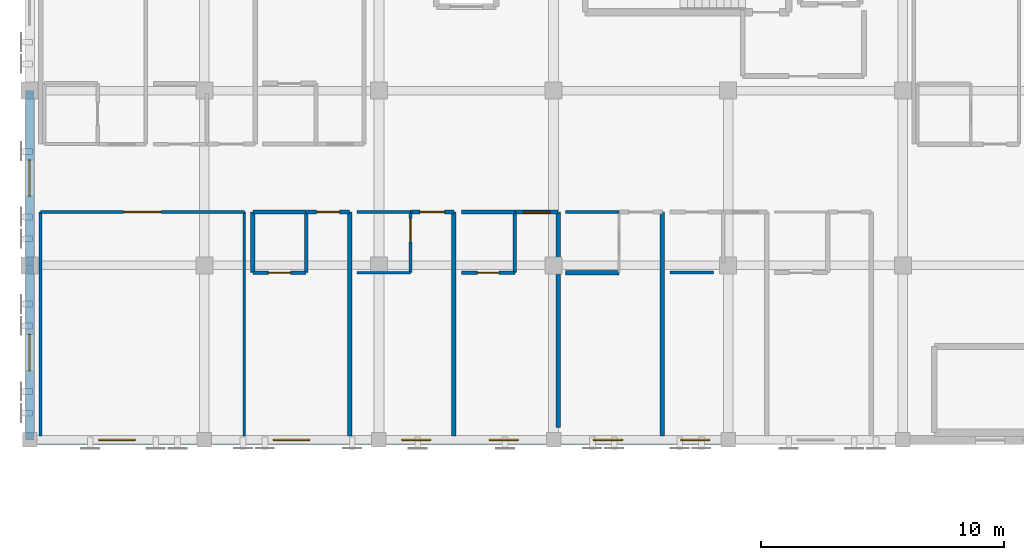
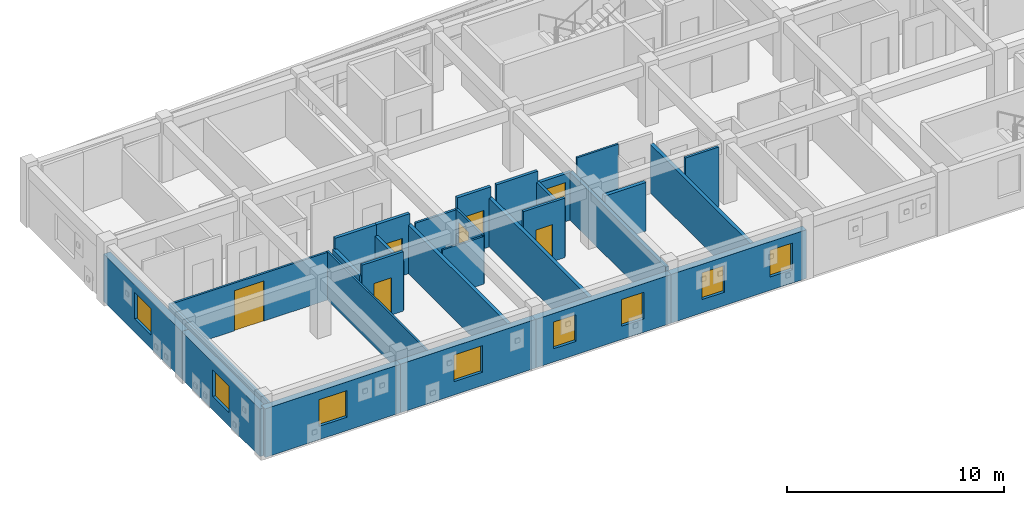
# One storey, part 37 of 50: 29 walls, 8 windows, 7 doors, 15 openings.
"""IFC4 building model written with IfcOpenShell, lengths in metres."""

from ifc_helpers import new_model, si_unit, direction, frame, frame_2d, origin, place, context, subcontext, project, spatial, rectangle, extrude, material, layer, layer_set, type_object, element, fill, save


model = new_model("IFC4")

# Units and contexts
model_context = context("Model", 3, precision=1e-05, world=origin(), true_north=direction((0.0, 1.0)))
body_context = subcontext(model_context, "Body", "Model", "MODEL_VIEW")
ifc_project = project(units=[si_unit("LENGTHUNIT", "METRE"), si_unit("AREAUNIT", "SQUARE_METRE"), si_unit("VOLUMEUNIT", "CUBIC_METRE"), si_unit("PLANEANGLEUNIT", "RADIAN"), si_unit("MASSUNIT", "GRAM", prefix="KILO")], contexts=[model_context])

# Site, building, storey
site_placement = place(None, origin())
site = spatial("IfcSite", under=ifc_project, at=site_placement, CompositionType="ELEMENT")
building_placement = place(site_placement, origin())
building = spatial("IfcBuilding", under=site, at=building_placement, Name="Carrowvane Square Congress Hotel", CompositionType="ELEMENT")
storey_placement = place(building_placement, frame((0.0, 0.0, 22.800048828125)))
storey = spatial("IfcBuildingStorey", under=building, at=storey_placement, Name="L05", CompositionType="ELEMENT", Elevation=22.800048828125)

# Wall, openings, windows
ifc_material_1 = material(Name="Glazed terracotta rainscreen", Category="masonry")
ifc_layer_1 = layer(ifc_material_1, 0.360107421875)
ifc_layer_set_1 = layer_set([ifc_layer_1], Name="Glazed terracotta rainscreen")
wall_type_1 = type_object("IfcWallType", Name="WL-EXT-TC360", PredefinedType="STANDARD", material=ifc_layer_set_1)
wall_1_placement = place(storey_placement, frame((62.0, 91.800048828125, 0.0), z_axis=(0.0, 0.0, 1.0), x_axis=(-1.0, 0.0, 0.0)))
wall_1 = element("IfcWall", 1, at=wall_1_placement, inside=storey, type_object=wall_type_1, Name="L05 exterior facade wall 472", PredefinedType="STANDARD", context=body_context, shape_type="SweptSolid", body=[
    extrude(rectangle(XDim=7.199951171875, YDim=0.360107421875, at=frame_2d((3.60009765625, 0.0))), origin(), (0.0, 0.0, 1.0), 2.73486328125),
])
opening_1_placement = place(wall_1_placement, frame((0.7548828125, 0.0, 0.75)))
opening_1 = element("IfcOpeningElement", 2, at=opening_1_placement, cuts=wall_1, Name="Opening W-01", PredefinedType="OPENING", context=body_context, shape_type="SweptSolid", body=[
    extrude(rectangle(XDim=1.199951171875, YDim=1.5, at=frame_2d((0.60009765625, 0.75))), frame((0.0, 0.18994140625, 0.0), z_axis=(0.0, -1.0, 0.0), x_axis=(1.0, 0.0, 0.0)), (0.0, 0.0, 1.0), 0.380126953125),
])
opening_2_placement = place(wall_1_placement, frame((4.35498046875, 0.0, 0.75)))
opening_2 = element("IfcOpeningElement", 3, at=opening_2_placement, cuts=wall_1, Name="Opening W-01", PredefinedType="OPENING", context=body_context, shape_type="SweptSolid", body=[
    extrude(rectangle(XDim=1.199951171875, YDim=1.5, at=frame_2d((0.60009765625, 0.75))), frame((0.0, 0.18994140625, 0.0), z_axis=(0.0, -1.0, 0.0), x_axis=(1.0, 0.0, 0.0)), (0.0, 0.0, 1.0), 0.380126953125),
])
ifc_material_2 = material(Name="Double-glazed low-E glass", Category="glass")
window_type_1 = type_object("IfcWindowType", Name="WIN-01", PartitioningType="SINGLE_PANEL", PredefinedType="WINDOW", material=ifc_material_2)
window_1_placement = place(opening_1_placement, origin())
window_1 = element("IfcWindow", 4, at=window_1_placement, inside=storey, type_object=window_type_1, Name="L05 facade window 306", OverallHeight=1.5, OverallWidth=1.199951171875, PartitioningType="SINGLE_PANEL", PredefinedType="WINDOW", context=body_context, shape_type="SweptSolid", body=[
    extrude(rectangle(XDim=1.199951171875, YDim=1.5, at=frame_2d((0.60009765625, 0.75))), frame((0.0, 0.030029296875, 0.0), z_axis=(0.0, -1.0, 0.0), x_axis=(1.0, 0.0, 0.0)), (0.0, 0.0, 1.0), 0.06005859375),
])
fill(opening_1, window_1)
window_2_placement = place(opening_2_placement, origin())
window_2 = element("IfcWindow", 5, at=window_2_placement, inside=storey, type_object=window_type_1, Name="L05 split-bay facade window WIN-L05-0306-1", OverallHeight=1.5, OverallWidth=1.199951171875, PartitioningType="SINGLE_PANEL", PredefinedType="WINDOW", context=body_context, shape_type="SweptSolid", body=[
    extrude(rectangle(XDim=1.199951171875, YDim=1.5, at=frame_2d((0.60009765625, 0.75))), frame((0.0, 0.030029296875, 0.0), z_axis=(0.0, -1.0, 0.0), x_axis=(1.0, 0.0, 0.0)), (0.0, 0.0, 1.0), 0.06005859375),
])
fill(opening_2, window_2)

wall_2_placement = place(storey_placement, frame((54.800048828125, 91.800048828125, 0.0), z_axis=(0.0, 0.0, 1.0), x_axis=(-1.0, 0.0, 0.0)))
wall_2 = element("IfcWall", 6, at=wall_2_placement, inside=storey, type_object=wall_type_1, Name="L05 exterior facade wall 473", PredefinedType="STANDARD", context=body_context, shape_type="SweptSolid", body=[
    extrude(rectangle(XDim=7.199951171875, YDim=0.360107421875, at=frame_2d((3.60009765625, 0.0))), origin(), (0.0, 0.0, 1.0), 2.73486328125),
])
opening_3_placement = place(wall_2_placement, frame((1.455078125, 0.0, 0.75)))
opening_3 = element("IfcOpeningElement", 7, at=opening_3_placement, cuts=wall_2, Name="Opening W-01", PredefinedType="OPENING", context=body_context, shape_type="SweptSolid", body=[
    extrude(rectangle(XDim=1.199951171875, YDim=1.5, at=frame_2d((0.60009765625, 0.75))), frame((0.0, 0.18994140625, 0.0), z_axis=(0.0, -1.0, 0.0), x_axis=(1.0, 0.0, 0.0)), (0.0, 0.0, 1.0), 0.380126953125),
])
opening_4_placement = place(wall_2_placement, frame((5.054931640625, 0.0, 0.75)))
opening_4 = element("IfcOpeningElement", 8, at=opening_4_placement, cuts=wall_2, Name="Opening W-01", PredefinedType="OPENING", context=body_context, shape_type="SweptSolid", body=[
    extrude(rectangle(XDim=1.199951171875, YDim=1.5, at=frame_2d((0.60009765625, 0.75))), frame((0.0, 0.18994140625, 0.0), z_axis=(0.0, -1.0, 0.0), x_axis=(1.0, 0.0, 0.0)), (0.0, 0.0, 1.0), 0.380126953125),
])
window_3_placement = place(opening_3_placement, origin())
window_3 = element("IfcWindow", 9, at=window_3_placement, inside=storey, type_object=window_type_1, Name="L05 facade window 307", OverallHeight=1.5, OverallWidth=1.199951171875, PartitioningType="SINGLE_PANEL", PredefinedType="WINDOW", context=body_context, shape_type="SweptSolid", body=[
    extrude(rectangle(XDim=1.199951171875, YDim=1.5, at=frame_2d((0.60009765625, 0.75))), frame((0.0, 0.030029296875, 0.0), z_axis=(0.0, -1.0, 0.0), x_axis=(1.0, 0.0, 0.0)), (0.0, 0.0, 1.0), 0.06005859375),
])
fill(opening_3, window_3)
window_4_placement = place(opening_4_placement, origin())
window_4 = element("IfcWindow", 10, at=window_4_placement, inside=storey, type_object=window_type_1, Name="L05 split-bay facade window WIN-L05-0307-1", OverallHeight=1.5, OverallWidth=1.199951171875, PartitioningType="SINGLE_PANEL", PredefinedType="WINDOW", context=body_context, shape_type="SweptSolid", body=[
    extrude(rectangle(XDim=1.199951171875, YDim=1.5, at=frame_2d((0.60009765625, 0.75))), frame((0.0, 0.030029296875, 0.0), z_axis=(0.0, -1.0, 0.0), x_axis=(1.0, 0.0, 0.0)), (0.0, 0.0, 1.0), 0.06005859375),
])
fill(opening_4, window_4)

# Wall, opening, window
wall_3_placement = place(storey_placement, frame((47.60009765625, 91.800048828125, 0.0), z_axis=(0.0, 0.0, 1.0), x_axis=(-1.0, 0.0, 0.0)))
wall_3 = element("IfcWall", 11, at=wall_3_placement, inside=storey, type_object=wall_type_1, Name="L05 exterior facade wall 474", PredefinedType="STANDARD", context=body_context, shape_type="SweptSolid", body=[
    extrude(rectangle(XDim=7.2001953125, YDim=0.360107421875, at=frame_2d((3.60009765625, 0.0))), origin(), (0.0, 0.0, 1.0), 2.73486328125),
])
opening_5_placement = place(wall_3_placement, frame((2.85009765625, 0.0, 0.75)))
opening_5 = element("IfcOpeningElement", 12, at=opening_5_placement, cuts=wall_3, Name="Opening W-15", PredefinedType="OPENING", context=body_context, shape_type="SweptSolid", body=[
    extrude(rectangle(XDim=1.5, YDim=1.5, at=frame_2d((0.75, 0.75))), frame((0.0, 0.18994140625, 0.0), z_axis=(0.0, -1.0, 0.0), x_axis=(1.0, 0.0, 0.0)), (0.0, 0.0, 1.0), 0.380126953125),
])
ifc_material_3 = material(Name="Double-glazed low-E glass", Category="glass")
window_type_2 = type_object("IfcWindowType", Name="WIN-15", PartitioningType="SINGLE_PANEL", PredefinedType="WINDOW", material=ifc_material_3)
window_5_placement = place(opening_5_placement, origin())
window_5 = element("IfcWindow", 13, at=window_5_placement, inside=storey, type_object=window_type_2, Name="L05 facade window 308", OverallHeight=1.5, OverallWidth=1.5, PartitioningType="SINGLE_PANEL", PredefinedType="WINDOW", context=body_context, shape_type="SweptSolid", body=[
    extrude(rectangle(XDim=1.5, YDim=1.5, at=frame_2d((0.75, 0.75))), frame((0.0, 0.030029296875, 0.0), z_axis=(0.0, -1.0, 0.0), x_axis=(1.0, 0.0, 0.0)), (0.0, 0.0, 1.0), 0.06005859375),
])
fill(opening_5, window_5)

wall_4_placement = place(storey_placement, frame((40.39990234375, 91.800048828125, 0.0), z_axis=(0.0, 0.0, 1.0), x_axis=(-1.0, 0.0, 0.0)))
wall_4 = element("IfcWall", 14, at=wall_4_placement, inside=storey, type_object=wall_type_1, Name="L05 exterior facade wall 475", PredefinedType="STANDARD", context=body_context, shape_type="SweptSolid", body=[
    extrude(rectangle(XDim=7.199951171875, YDim=0.360107421875, at=frame_2d((3.60009765625, 0.0))), origin(), (0.0, 0.0, 1.0), 2.73486328125),
])
opening_6_placement = place(wall_4_placement, frame((2.85009765625, 0.0, 0.75)))
opening_6 = element("IfcOpeningElement", 15, at=opening_6_placement, cuts=wall_4, Name="Opening W-15", PredefinedType="OPENING", context=body_context, shape_type="SweptSolid", body=[
    extrude(rectangle(XDim=1.5, YDim=1.5, at=frame_2d((0.75, 0.75))), frame((0.0, 0.18994140625, 0.0), z_axis=(0.0, -1.0, 0.0), x_axis=(1.0, 0.0, 0.0)), (0.0, 0.0, 1.0), 0.380126953125),
])
window_6_placement = place(opening_6_placement, origin())
window_6 = element("IfcWindow", 16, at=window_6_placement, inside=storey, type_object=window_type_2, Name="L05 facade window 309", OverallHeight=1.5, OverallWidth=1.5, PartitioningType="SINGLE_PANEL", PredefinedType="WINDOW", context=body_context, shape_type="SweptSolid", body=[
    extrude(rectangle(XDim=1.5, YDim=1.5, at=frame_2d((0.75, 0.75))), frame((0.0, 0.030029296875, 0.0), z_axis=(0.0, -1.0, 0.0), x_axis=(1.0, 0.0, 0.0)), (0.0, 0.0, 1.0), 0.06005859375),
])
fill(opening_6, window_6)

wall_5_placement = place(storey_placement, frame((33.199951171875, 91.800048828125, 0.0), z_axis=(0.0, 0.0, 1.0), x_axis=(0.0, 1.0, 0.0)))
wall_5 = element("IfcWall", 17, at=wall_5_placement, inside=storey, type_object=wall_type_1, Name="L05 exterior facade wall 476", PredefinedType="STANDARD", context=body_context, shape_type="SweptSolid", body=[
    extrude(rectangle(XDim=7.199951171875, YDim=0.360107421875, at=frame_2d((3.60009765625, 0.0))), origin(), (0.0, 0.0, 1.0), 2.68505859375),
])
opening_7_placement = place(wall_5_placement, frame((2.85009765625, 0.0, 0.75)))
opening_7 = element("IfcOpeningElement", 18, at=opening_7_placement, cuts=wall_5, Name="Opening W-15", PredefinedType="OPENING", context=body_context, shape_type="SweptSolid", body=[
    extrude(rectangle(XDim=1.5, YDim=1.5, at=frame_2d((0.75, 0.75))), frame((0.0, 0.18994140625, 0.0), z_axis=(0.0, -1.0, 0.0), x_axis=(1.0, 0.0, 0.0)), (0.0, 0.0, 1.0), 0.380126953125),
])
window_7_placement = place(opening_7_placement, origin())
window_7 = element("IfcWindow", 19, at=window_7_placement, inside=storey, type_object=window_type_2, Name="L05 facade window 310", OverallHeight=1.5, OverallWidth=1.5, PartitioningType="SINGLE_PANEL", PredefinedType="WINDOW", context=body_context, shape_type="SweptSolid", body=[
    extrude(rectangle(XDim=1.5, YDim=1.5, at=frame_2d((0.75, 0.75))), frame((0.0, 0.030029296875, 0.0), z_axis=(0.0, -1.0, 0.0), x_axis=(1.0, 0.0, 0.0)), (0.0, 0.0, 1.0), 0.06005859375),
])
fill(opening_7, window_7)

wall_6_placement = place(storey_placement, frame((33.199951171875, 99.0, 0.0), z_axis=(0.0, 0.0, 1.0), x_axis=(0.0, 1.0, 0.0)))
wall_6 = element("IfcWall", 20, at=wall_6_placement, inside=storey, type_object=wall_type_1, Name="L05 exterior facade wall 477", PredefinedType="STANDARD", context=body_context, shape_type="SweptSolid", body=[
    extrude(rectangle(XDim=7.199951171875, YDim=0.360107421875, at=frame_2d((3.60009765625, 0.0))), origin(), (0.0, 0.0, 1.0), 2.68505859375),
])
opening_8_placement = place(wall_6_placement, frame((2.85009765625, 0.0, 0.75)))
opening_8 = element("IfcOpeningElement", 21, at=opening_8_placement, cuts=wall_6, Name="Opening W-15", PredefinedType="OPENING", context=body_context, shape_type="SweptSolid", body=[
    extrude(rectangle(XDim=1.5, YDim=1.5, at=frame_2d((0.75, 0.75))), frame((0.0, 0.18994140625, 0.0), z_axis=(0.0, -1.0, 0.0), x_axis=(1.0, 0.0, 0.0)), (0.0, 0.0, 1.0), 0.380126953125),
])
window_8_placement = place(opening_8_placement, origin())
window_8 = element("IfcWindow", 22, at=window_8_placement, inside=storey, type_object=window_type_2, Name="L05 facade window 311", OverallHeight=1.5, OverallWidth=1.5, PartitioningType="SINGLE_PANEL", PredefinedType="WINDOW", context=body_context, shape_type="SweptSolid", body=[
    extrude(rectangle(XDim=1.5, YDim=1.5, at=frame_2d((0.75, 0.75))), frame((0.0, 0.030029296875, 0.0), z_axis=(0.0, -1.0, 0.0), x_axis=(1.0, 0.0, 0.0)), (0.0, 0.0, 1.0), 0.06005859375),
])
fill(opening_8, window_8)

# Walls
ifc_material_4 = material(Name="Acoustic gypsum board", Category="gypsum")
ifc_layer_2 = layer(ifc_material_4, 0.155029296875)
ifc_layer_set_2 = layer_set([ifc_layer_2], Name="Acoustic gypsum board")
wall_type_2 = type_object("IfcWallType", Name="WL-FIR-155", PredefinedType="PARTITIONING", material=ifc_layer_set_2)
wall_7_placement = place(storey_placement, frame((44.60009765625, 101.199951171875, 0.0), z_axis=(0.0, 0.0, 1.0), x_axis=(0.0, -1.0, 0.0)))
element("IfcWall", 23, at=wall_7_placement, inside=storey, type_object=wall_type_2, Name="L05 En-suite Bathroom 0501 partition", PredefinedType="PARTITIONING", context=body_context, shape_type="SweptSolid", body=[
    extrude(rectangle(XDim=2.5, YDim=0.155029296875, at=frame_2d((1.25, 0.0))), origin(), (0.0, 0.0, 1.0), 2.73486328125),
])
wall_8_placement = place(storey_placement, frame((51.0, 101.199951171875, 0.0), z_axis=(0.0, 0.0, 1.0), x_axis=(1.0, 0.0, 0.0)))
element("IfcWall", 24, at=wall_8_placement, inside=storey, type_object=wall_type_2, Name="L05 En-suite Bathroom 0503 partition", PredefinedType="PARTITIONING", context=body_context, shape_type="SweptSolid", body=[
    extrude(rectangle(XDim=2.199951171875, YDim=0.155029296875, at=frame_2d((1.10009765625, 0.0))), origin(), (0.0, 0.0, 1.0), 3.349853515625),
])
ifc_material_5 = material(Name="Acoustic gypsum board", Category="gypsum")
ifc_layer_3 = layer(ifc_material_5, 0.169921875)
ifc_layer_set_3 = layer_set([ifc_layer_3], Name="Acoustic gypsum board")
wall_type_3 = type_object("IfcWallType", Name="WL-FIR-170", PredefinedType="PARTITIONING", material=ifc_layer_set_3)
wall_9_placement = place(storey_placement, frame((42.39990234375, 101.199951171875, 0.0), z_axis=(0.0, 0.0, 1.0), x_axis=(1.0, 0.0, 0.0)))
element("IfcWall", 25, at=wall_9_placement, inside=storey, type_object=wall_type_3, Name="L05 En-suite Bathroom 0501 partition", PredefinedType="PARTITIONING", context=body_context, shape_type="SweptSolid", body=[
    extrude(rectangle(XDim=2.2001953125, YDim=0.169921875, at=frame_2d((1.10009765625, 0.0))), origin(), (0.0, 0.0, 1.0), 3.349853515625),
])

# Wall, opening, door
wall_10_placement = place(storey_placement, frame((44.610107421875, 101.199951171875, 0.0), z_axis=(0.0, 0.0, 1.0), x_axis=(1.0, 0.0, 0.0)))
wall_10 = element("IfcWall", 26, at=wall_10_placement, inside=storey, type_object=wall_type_3, Name="L05 Hotel Guest Bedroom 0501 partition", PredefinedType="PARTITIONING", context=body_context, shape_type="SweptSolid", body=[
    extrude(rectangle(XDim=1.77978515625, YDim=0.169921875, at=frame_2d((0.889892578125, 0.0))), origin(), (0.0, 0.0, 1.0), 3.349853515625),
])
opening_9_placement = place(wall_10_placement, frame((0.4150390625, 0.0, 0.0)))
opening_9 = element("IfcOpeningElement", 27, at=opening_9_placement, cuts=wall_10, Name="Opening FD-06", PredefinedType="OPENING", context=body_context, shape_type="SweptSolid", body=[
    extrude(rectangle(XDim=0.949951171875, YDim=2.10009765625, at=frame_2d((0.47509765625, 1.050048828125))), frame((0.0, 0.094970703125, 0.0), z_axis=(0.0, -1.0, 0.0), x_axis=(1.0, 0.0, 0.0)), (0.0, 0.0, 1.0), 0.18994140625),
])
ifc_material_6 = material(Name="European oak timber", Category="wood")
door_type_1 = type_object("IfcDoorType", Name="DR-FD30-0950x2100", OperationType="NOTDEFINED", PredefinedType="DOOR", material=ifc_material_6)
door_1_placement = place(opening_9_placement, origin())
door_1 = element("IfcDoor", 28, at=door_1_placement, inside=storey, type_object=door_type_1, Name="L05 Hotel Guest Bedroom 0501 entrance door", OperationType="SINGLE_SWING_RIGHT", OverallHeight=2.10009765625, OverallWidth=0.949951171875, PredefinedType="DOOR", context=body_context, shape_type="SweptSolid", body=[
    extrude(rectangle(XDim=0.949951171875, YDim=2.10009765625, at=frame_2d((0.47509765625, 1.050048828125))), frame((0.0, 0.02490234375, 0.0), z_axis=(0.0, -1.0, 0.0), x_axis=(1.0, 0.0, 0.0)), (0.0, 0.0, 1.0), 0.050048828125),
])
fill(opening_9, door_1)

wall_11_placement = place(storey_placement, frame((48.909912109375, 101.199951171875, 0.0), z_axis=(0.0, 0.0, 1.0), x_axis=(1.0, 0.0, 0.0)))
wall_11 = element("IfcWall", 29, at=wall_11_placement, inside=storey, type_object=wall_type_3, Name="L05 Hotel Guest Bedroom 0502 partition", PredefinedType="PARTITIONING", context=body_context, shape_type="SweptSolid", body=[
    extrude(rectangle(XDim=1.780029296875, YDim=0.169921875, at=frame_2d((0.89013671875, 0.0))), origin(), (0.0, 0.0, 1.0), 3.349853515625),
])
opening_10_placement = place(wall_11_placement, frame((0.3798828125, 0.0, 0.0)))
opening_10 = element("IfcOpeningElement", 30, at=opening_10_placement, cuts=wall_11, Name="Opening FD-08", PredefinedType="OPENING", context=body_context, shape_type="SweptSolid", body=[
    extrude(rectangle(XDim=1.02001953125, YDim=2.14990234375, at=frame_2d((0.510009765625, 1.074951171875))), frame((0.0, 0.094970703125, 0.0), z_axis=(0.0, -1.0, 0.0), x_axis=(1.0, 0.0, 0.0)), (0.0, 0.0, 1.0), 0.18994140625),
])
ifc_material_7 = material(Name="European oak timber", Category="wood")
door_type_2 = type_object("IfcDoorType", Name="DR-FD30-1020x2150", OperationType="NOTDEFINED", PredefinedType="DOOR", material=ifc_material_7)
door_2_placement = place(opening_10_placement, origin())
door_2 = element("IfcDoor", 31, at=door_2_placement, inside=storey, type_object=door_type_2, Name="L05 Hotel Guest Bedroom 0502 entrance door", OperationType="SINGLE_SWING_RIGHT", OverallHeight=2.14990234375, OverallWidth=1.02001953125, PredefinedType="DOOR", context=body_context, shape_type="SweptSolid", body=[
    extrude(rectangle(XDim=1.02001953125, YDim=2.14990234375, at=frame_2d((0.510009765625, 1.074951171875))), frame((0.0, 0.02490234375, 0.0), z_axis=(0.0, -1.0, 0.0), x_axis=(1.0, 0.0, 0.0)), (0.0, 0.0, 1.0), 0.050048828125),
])
fill(opening_10, door_2)

wall_12_placement = place(storey_placement, frame((53.2099609375, 101.199951171875, 0.0), z_axis=(0.0, 0.0, 1.0), x_axis=(1.0, 0.0, 0.0)))
wall_12 = element("IfcWall", 32, at=wall_12_placement, inside=storey, type_object=wall_type_3, Name="L05 Hotel Guest Bedroom 0503 partition", PredefinedType="PARTITIONING", context=body_context, shape_type="SweptSolid", body=[
    extrude(rectangle(XDim=1.780029296875, YDim=0.169921875, at=frame_2d((0.89013671875, 0.0))), origin(), (0.0, 0.0, 1.0), 2.68505859375),
])
opening_11_placement = place(wall_12_placement, frame((0.330078125, 0.0, 0.0)))
opening_11 = element("IfcOpeningElement", 33, at=opening_11_placement, cuts=wall_12, Name="Opening FD-10", PredefinedType="OPENING", context=body_context, shape_type="SweptSolid", body=[
    extrude(rectangle(XDim=1.1201171875, YDim=2.199951171875, at=frame_2d((0.56005859375, 1.10009765625))), frame((0.0, 0.094970703125, 0.0), z_axis=(0.0, -1.0, 0.0), x_axis=(1.0, 0.0, 0.0)), (0.0, 0.0, 1.0), 0.18994140625),
])
ifc_material_8 = material(Name="European oak timber", Category="wood")
door_type_3 = type_object("IfcDoorType", Name="DR-FD30-1120x2200", OperationType="NOTDEFINED", PredefinedType="DOOR", material=ifc_material_8)
door_3_placement = place(opening_11_placement, origin())
door_3 = element("IfcDoor", 34, at=door_3_placement, inside=storey, type_object=door_type_3, Name="L05 Hotel Guest Bedroom 0503 entrance door", OperationType="SINGLE_SWING_RIGHT", OverallHeight=2.199951171875, OverallWidth=1.1201171875, PredefinedType="DOOR", context=body_context, shape_type="SweptSolid", body=[
    extrude(rectangle(XDim=1.1201171875, YDim=2.199951171875, at=frame_2d((0.56005859375, 1.10009765625))), frame((0.0, 0.02490234375, 0.0), z_axis=(0.0, -1.0, 0.0), x_axis=(1.0, 0.0, 0.0)), (0.0, 0.0, 1.0), 0.050048828125),
])
fill(opening_11, door_3)

# Walls
ifc_material_9 = material(Name="Acoustic gypsum board", Category="gypsum")
ifc_layer_4 = layer(ifc_material_9, 0.18505859375)
ifc_layer_set_4 = layer_set([ifc_layer_4], Name="Acoustic gypsum board")
wall_type_4 = type_object("IfcWallType", Name="WL-FIR-185", PredefinedType="PARTITIONING", material=ifc_layer_set_4)
wall_13_placement = place(storey_placement, frame((42.39990234375, 98.699951171875, 0.0), z_axis=(0.0, 0.0, 1.0), x_axis=(0.0, 1.0, 0.0)))
element("IfcWall", 35, at=wall_13_placement, inside=storey, type_object=wall_type_4, Name="L05 En-suite Bathroom 0501 partition", PredefinedType="PARTITIONING", context=body_context, shape_type="SweptSolid", body=[
    extrude(rectangle(XDim=2.5, YDim=0.18505859375, at=frame_2d((1.25, 0.0))), origin(), (0.0, 0.0, 1.0), 2.73486328125),
])
for number, where, z_axis, x_axis, name in (
    (36, (46.389892578125, 101.199951171875, 0.0), (0.0, 0.0, 1.0), (0.0, -1.0, 0.0), "L05 Hotel Guest Bedroom 0501 partition"),
    (37, (50.68994140625, 101.199951171875, 0.0), (0.0, 0.0, 1.0), (0.0, -1.0, 0.0), "L05 Hotel Guest Bedroom 0502 partition"),
):
    element("IfcWall", number, at=place(storey_placement, frame(where, z_axis=z_axis, x_axis=x_axis)), inside=storey, type_object=wall_type_4, Name=name, PredefinedType="PARTITIONING", context=body_context, shape_type="SweptSolid", body=[
        extrude(rectangle(XDim=9.239990234375, YDim=0.18505859375, at=frame_2d((4.6201171875, 0.0))), origin(), (0.0, 0.0, 1.0), 2.73486328125),
    ])
wall_14_placement = place(storey_placement, frame((54.989990234375, 101.199951171875, 0.0), z_axis=(0.0, 0.0, 1.0), x_axis=(0.0, -1.0, 0.0)))
element("IfcWall", 38, at=wall_14_placement, inside=storey, type_object=wall_type_4, Name="L05 Hotel Guest Bedroom 0503 partition", PredefinedType="PARTITIONING", context=body_context, shape_type="SweptSolid", body=[
    extrude(rectangle(XDim=8.8798828125, YDim=0.18505859375, at=frame_2d((4.43994140625, 0.0))), origin(), (0.0, 0.0, 1.0), 2.68505859375),
])
wall_15_placement = place(storey_placement, frame((57.5, 98.699951171875, 0.0), z_axis=(0.0, 0.0, 1.0), x_axis=(-1.0, 0.0, 0.0)))
element("IfcWall", 39, at=wall_15_placement, inside=storey, type_object=wall_type_4, Name="L05 En-suite Bathroom 0504 partition", PredefinedType="PARTITIONING", context=body_context, shape_type="SweptSolid", body=[
    extrude(rectangle(XDim=2.199951171875, YDim=0.18505859375, at=frame_2d((1.10009765625, 0.0))), origin(), (0.0, 0.0, 1.0), 2.73486328125),
])
wall_16_placement = place(storey_placement, frame((59.2900390625, 101.199951171875, 0.0), z_axis=(0.0, 0.0, 1.0), x_axis=(0.0, -1.0, 0.0)))
element("IfcWall", 40, at=wall_16_placement, inside=storey, type_object=wall_type_4, Name="L05 Hotel Guest Bedroom 0504 partition", PredefinedType="PARTITIONING", context=body_context, shape_type="SweptSolid", body=[
    extrude(rectangle(XDim=9.239990234375, YDim=0.18505859375, at=frame_2d((4.6201171875, 0.0))), origin(), (0.0, 0.0, 1.0), 2.73486328125),
])
ifc_material_10 = material(Name="Acoustic gypsum board", Category="gypsum")
ifc_layer_5 = layer(ifc_material_10, 0.097900390625)
ifc_layer_set_5 = layer_set([ifc_layer_5], Name="Acoustic gypsum board")
wall_type_5 = type_object("IfcWallType", Name="WL-PRT-098", PredefinedType="PARTITIONING", material=ifc_layer_set_5)
wall_17_placement = place(storey_placement, frame((42.050048828125, 101.199951171875, 0.0), z_axis=(0.0, 0.0, 1.0), x_axis=(0.0, -1.0, 0.0)))
element("IfcWall", 41, at=wall_17_placement, inside=storey, type_object=wall_type_5, Name="L05 L05 Quiet Study Lounge partition", PredefinedType="PARTITIONING", context=body_context, shape_type="SweptSolid", body=[
    extrude(rectangle(XDim=9.239990234375, YDim=0.097900390625, at=frame_2d((4.6201171875, 0.0))), origin(), (0.0, 0.0, 1.0), 2.73486328125),
])
wall_18_placement = place(storey_placement, frame((48.89990234375, 98.699951171875, 0.0), z_axis=(0.0, 0.0, 1.0), x_axis=(-1.0, 0.0, 0.0)))
element("IfcWall", 42, at=wall_18_placement, inside=storey, type_object=wall_type_5, Name="L05 En-suite Bathroom 0502 partition", PredefinedType="PARTITIONING", context=body_context, shape_type="SweptSolid", body=[
    extrude(rectangle(XDim=2.199951171875, YDim=0.097900390625, at=frame_2d((1.10009765625, 0.0))), origin(), (0.0, 0.0, 1.0), 2.68505859375),
])

# Wall, opening, door
ifc_material_11 = material(Name="Acoustic gypsum board", Category="gypsum")
ifc_layer_6 = layer(ifc_material_11, 0.10791015625)
ifc_layer_set_6 = layer_set([ifc_layer_6], Name="Acoustic gypsum board")
wall_type_6 = type_object("IfcWallType", Name="WL-PRT-108", PredefinedType="PARTITIONING", material=ifc_layer_set_6)
wall_19_placement = place(storey_placement, frame((33.64990234375, 101.199951171875, 0.0), z_axis=(0.0, 0.0, 1.0), x_axis=(1.0, 0.0, 0.0)))
wall_19 = element("IfcWall", 43, at=wall_19_placement, inside=storey, type_object=wall_type_6, Name="L05 L05 Quiet Study Lounge partition", PredefinedType="PARTITIONING", context=body_context, shape_type="SweptSolid", body=[
    extrude(rectangle(XDim=8.400146484375, YDim=0.10791015625, at=frame_2d((4.2001953125, 0.0))), origin(), (0.0, 0.0, 1.0), 2.68505859375),
])
opening_12_placement = place(wall_19_placement, frame((3.419921875, 0.0, 0.0)))
opening_12 = element("IfcOpeningElement", 44, at=opening_12_placement, cuts=wall_19, Name="Opening ID-26", PredefinedType="OPENING", context=body_context, shape_type="SweptSolid", body=[
    extrude(rectangle(XDim=1.56005859375, YDim=2.260009765625, at=frame_2d((0.780029296875, 1.1298828125))), frame((0.0, 0.06396484375, 0.0), z_axis=(0.0, -1.0, 0.0), x_axis=(1.0, 0.0, 0.0)), (0.0, 0.0, 1.0), 0.1279296875),
])
ifc_material_12 = material(Name="European oak timber", Category="wood")
door_type_4 = type_object("IfcDoorType", Name="DR-INT-1560x2260", OperationType="DOUBLE_DOOR_SINGLE_SWING", PredefinedType="DOOR", material=ifc_material_12)
door_4_placement = place(opening_12_placement, origin())
door_4 = element("IfcDoor", 45, at=door_4_placement, inside=storey, type_object=door_type_4, Name="L05 L05 Quiet Study Lounge entrance door", OperationType="DOUBLE_DOOR_SINGLE_SWING", OverallHeight=2.260009765625, OverallWidth=1.56005859375, PredefinedType="DOOR", context=body_context, shape_type="SweptSolid", body=[
    extrude(rectangle(XDim=1.56005859375, YDim=2.260009765625, at=frame_2d((0.780029296875, 1.1298828125))), frame((0.0, 0.02490234375, 0.0), z_axis=(0.0, -1.0, 0.0), x_axis=(1.0, 0.0, 0.0)), (0.0, 0.0, 1.0), 0.050048828125),
])
fill(opening_12, door_4)

wall_20_placement = place(storey_placement, frame((48.89990234375, 101.199951171875, 0.0), z_axis=(0.0, 0.0, 1.0), x_axis=(0.0, -1.0, 0.0)))
wall_20 = element("IfcWall", 46, at=wall_20_placement, inside=storey, type_object=wall_type_6, Name="L05 En-suite Bathroom 0502 partition", PredefinedType="PARTITIONING", context=body_context, shape_type="SweptSolid", body=[
    extrude(rectangle(XDim=2.5, YDim=0.10791015625, at=frame_2d((1.25, 0.0))), origin(), (0.0, 0.0, 1.0), 2.73486328125),
])
opening_13_placement = place(wall_20_placement, frame((0.27001953125, 0.0, 0.0)))
opening_13 = element("IfcOpeningElement", 47, at=opening_13_placement, cuts=wall_20, Name="Opening ID-05", PredefinedType="OPENING", context=body_context, shape_type="SweptSolid", body=[
    extrude(rectangle(XDim=0.9599609375, YDim=2.139892578125, at=frame_2d((0.47998046875, 1.06982421875))), frame((0.0, 0.06396484375, 0.0), z_axis=(0.0, -1.0, 0.0), x_axis=(1.0, 0.0, 0.0)), (0.0, 0.0, 1.0), 0.1279296875),
])
ifc_material_13 = material(Name="European oak timber", Category="wood")
door_type_5 = type_object("IfcDoorType", Name="DR-INT-0960x2140", OperationType="NOTDEFINED", PredefinedType="DOOR", material=ifc_material_13)
door_5_placement = place(opening_13_placement, origin())
door_5 = element("IfcDoor", 48, at=door_5_placement, inside=storey, type_object=door_type_5, Name="L05 En-suite Bathroom 0502 door", OperationType="SINGLE_SWING_LEFT", OverallHeight=2.139892578125, OverallWidth=0.9599609375, PredefinedType="DOOR", context=body_context, shape_type="SweptSolid", body=[
    extrude(rectangle(XDim=0.9599609375, YDim=2.139892578125, at=frame_2d((0.47998046875, 1.06982421875))), frame((0.0, 0.02490234375, 0.0), z_axis=(0.0, -1.0, 0.0), x_axis=(1.0, 0.0, 0.0)), (0.0, 0.0, 1.0), 0.050048828125),
])
fill(opening_13, door_5)

# Walls
wall_21_placement = place(storey_placement, frame((55.300048828125, 101.199951171875, 0.0), z_axis=(0.0, 0.0, 1.0), x_axis=(1.0, 0.0, 0.0)))
element("IfcWall", 49, at=wall_21_placement, inside=storey, type_object=wall_type_6, Name="L05 En-suite Bathroom 0504 partition", PredefinedType="PARTITIONING", context=body_context, shape_type="SweptSolid", body=[
    extrude(rectangle(XDim=2.199951171875, YDim=0.10791015625, at=frame_2d((1.10009765625, 0.0))), origin(), (0.0, 0.0, 1.0), 3.349853515625),
])
ifc_material_14 = material(Name="Acoustic gypsum board", Category="gypsum")
ifc_layer_7 = layer(ifc_material_14, 0.117919921875)
ifc_layer_set_7 = layer_set([ifc_layer_7], Name="Acoustic gypsum board")
wall_type_7 = type_object("IfcWallType", Name="WL-PRT-118", PredefinedType="PARTITIONING", material=ifc_layer_set_7)
wall_22_placement = place(storey_placement, frame((33.64990234375, 91.9599609375, 0.0), z_axis=(0.0, 0.0, 1.0), x_axis=(0.0, 1.0, 0.0)))
element("IfcWall", 50, at=wall_22_placement, inside=storey, type_object=wall_type_7, Name="L05 L05 Quiet Study Lounge partition", PredefinedType="PARTITIONING", context=body_context, shape_type="SweptSolid", body=[
    extrude(rectangle(XDim=9.239990234375, YDim=0.117919921875, at=frame_2d((4.6201171875, 0.0))), origin(), (0.0, 0.0, 1.0), 2.73486328125),
])
wall_23_placement = place(storey_placement, frame((46.699951171875, 101.199951171875, 0.0), z_axis=(0.0, 0.0, 1.0), x_axis=(1.0, 0.0, 0.0)))
element("IfcWall", 51, at=wall_23_placement, inside=storey, type_object=wall_type_7, Name="L05 En-suite Bathroom 0502 partition", PredefinedType="PARTITIONING", context=body_context, shape_type="SweptSolid", body=[
    extrude(rectangle(XDim=2.199951171875, YDim=0.117919921875, at=frame_2d((1.10009765625, 0.0))), origin(), (0.0, 0.0, 1.0), 2.68505859375),
])
ifc_material_15 = material(Name="Acoustic gypsum board", Category="gypsum")
ifc_layer_8 = layer(ifc_material_15, 0.1279296875)
ifc_layer_set_8 = layer_set([ifc_layer_8], Name="Acoustic gypsum board")
wall_type_8 = type_object("IfcWallType", Name="WL-PRT-128", PredefinedType="PARTITIONING", material=ifc_layer_set_8)
wall_24_placement = place(storey_placement, frame((61.389892578125, 98.699951171875, 0.0), z_axis=(0.0, 0.0, 1.0), x_axis=(-1.0, 0.0, 0.0)))
element("IfcWall", 52, at=wall_24_placement, inside=storey, type_object=wall_type_8, Name="L05 En-suite Bathroom 0505 partition", PredefinedType="PARTITIONING", context=body_context, shape_type="SweptSolid", body=[
    extrude(rectangle(XDim=1.789794921875, YDim=0.1279296875, at=frame_2d((0.89501953125, 0.0))), origin(), (0.0, 0.0, 1.0), 3.349853515625),
])

# Wall, opening, door
ifc_material_16 = material(Name="Acoustic gypsum board", Category="gypsum")
ifc_layer_9 = layer(ifc_material_16, 0.137939453125)
ifc_layer_set_9 = layer_set([ifc_layer_9], Name="Acoustic gypsum board")
wall_type_9 = type_object("IfcWallType", Name="WL-PRT-138", PredefinedType="PARTITIONING", material=ifc_layer_set_9)
wall_25_placement = place(storey_placement, frame((53.199951171875, 98.699951171875, 0.0), z_axis=(0.0, 0.0, 1.0), x_axis=(-1.0, 0.0, 0.0)))
wall_25 = element("IfcWall", 53, at=wall_25_placement, inside=storey, type_object=wall_type_9, Name="L05 En-suite Bathroom 0503 partition", PredefinedType="PARTITIONING", context=body_context, shape_type="SweptSolid", body=[
    extrude(rectangle(XDim=2.199951171875, YDim=0.137939453125, at=frame_2d((1.10009765625, 0.0))), origin(), (0.0, 0.0, 1.0), 3.349853515625),
])
opening_14_placement = place(wall_25_placement, frame((0.655029296875, 0.0, 0.0)))
opening_14 = element("IfcOpeningElement", 54, at=opening_14_placement, cuts=wall_25, Name="Opening ID-16", PredefinedType="OPENING", context=body_context, shape_type="SweptSolid", body=[
    extrude(rectangle(XDim=0.889892578125, YDim=2.090087890625, at=frame_2d((0.44482421875, 1.044921875))), frame((0.0, 0.078857421875, 0.0), z_axis=(0.0, -1.0, 0.0), x_axis=(1.0, 0.0, 0.0)), (0.0, 0.0, 1.0), 0.157958984375),
])
ifc_material_17 = material(Name="European oak timber", Category="wood")
door_type_6 = type_object("IfcDoorType", Name="DR-INT-0890x2090", OperationType="NOTDEFINED", PredefinedType="DOOR", material=ifc_material_17)
door_6_placement = place(opening_14_placement, origin())
door_6 = element("IfcDoor", 55, at=door_6_placement, inside=storey, type_object=door_type_6, Name="L05 En-suite Bathroom 0503 door", OperationType="SINGLE_SWING_LEFT", OverallHeight=2.090087890625, OverallWidth=0.889892578125, PredefinedType="DOOR", context=body_context, shape_type="SweptSolid", body=[
    extrude(rectangle(XDim=0.889892578125, YDim=2.090087890625, at=frame_2d((0.44482421875, 1.044921875))), frame((0.0, 0.02490234375, 0.0), z_axis=(0.0, -1.0, 0.0), x_axis=(1.0, 0.0, 0.0)), (0.0, 0.0, 1.0), 0.050048828125),
])
fill(opening_14, door_6)

ifc_material_18 = material(Name="Acoustic gypsum board", Category="gypsum")
ifc_layer_10 = layer(ifc_material_18, 0.14794921875)
ifc_layer_set_10 = layer_set([ifc_layer_10], Name="Acoustic gypsum board")
wall_type_10 = type_object("IfcWallType", Name="WL-PRT-148", PredefinedType="PARTITIONING", material=ifc_layer_set_10)
wall_26_placement = place(storey_placement, frame((44.60009765625, 98.699951171875, 0.0), z_axis=(0.0, 0.0, 1.0), x_axis=(-1.0, 0.0, 0.0)))
wall_26 = element("IfcWall", 56, at=wall_26_placement, inside=storey, type_object=wall_type_10, Name="L05 En-suite Bathroom 0501 partition", PredefinedType="PARTITIONING", context=body_context, shape_type="SweptSolid", body=[
    extrude(rectangle(XDim=2.2001953125, YDim=0.14794921875, at=frame_2d((1.10009765625, 0.0))), origin(), (0.0, 0.0, 1.0), 3.349853515625),
])
opening_15_placement = place(wall_26_placement, frame((0.639892578125, 0.0, 0.0)))
opening_15 = element("IfcOpeningElement", 57, at=opening_15_placement, cuts=wall_26, Name="Opening ID-03", PredefinedType="OPENING", context=body_context, shape_type="SweptSolid", body=[
    extrude(rectangle(XDim=0.919921875, YDim=2.10009765625, at=frame_2d((0.4599609375, 1.050048828125))), frame((0.0, 0.083984375, 0.0), z_axis=(0.0, -1.0, 0.0), x_axis=(1.0, 0.0, 0.0)), (0.0, 0.0, 1.0), 0.16796875),
])
ifc_material_19 = material(Name="European oak timber", Category="wood")
door_type_7 = type_object("IfcDoorType", Name="DR-INT-0920x2100", OperationType="NOTDEFINED", PredefinedType="DOOR", material=ifc_material_19)
door_7_placement = place(opening_15_placement, origin())
door_7 = element("IfcDoor", 58, at=door_7_placement, inside=storey, type_object=door_type_7, Name="L05 En-suite Bathroom 0501 door", OperationType="SINGLE_SWING_LEFT", OverallHeight=2.10009765625, OverallWidth=0.919921875, PredefinedType="DOOR", context=body_context, shape_type="SweptSolid", body=[
    extrude(rectangle(XDim=0.919921875, YDim=2.10009765625, at=frame_2d((0.4599609375, 1.050048828125))), frame((0.0, 0.02490234375, 0.0), z_axis=(0.0, -1.0, 0.0), x_axis=(1.0, 0.0, 0.0)), (0.0, 0.0, 1.0), 0.050048828125),
])
fill(opening_15, door_7)

# Wall
wall_27_placement = place(storey_placement, frame((53.199951171875, 101.199951171875, 0.0), z_axis=(0.0, 0.0, 1.0), x_axis=(0.0, -1.0, 0.0)))
element("IfcWall", 59, at=wall_27_placement, inside=storey, type_object=wall_type_10, Name="L05 En-suite Bathroom 0503 partition", PredefinedType="PARTITIONING", context=body_context, shape_type="SweptSolid", body=[
    extrude(rectangle(XDim=2.5, YDim=0.14794921875, at=frame_2d((1.25, 0.0))), origin(), (0.0, 0.0, 1.0), 2.73486328125),
])

save(model, "model.ifc")
